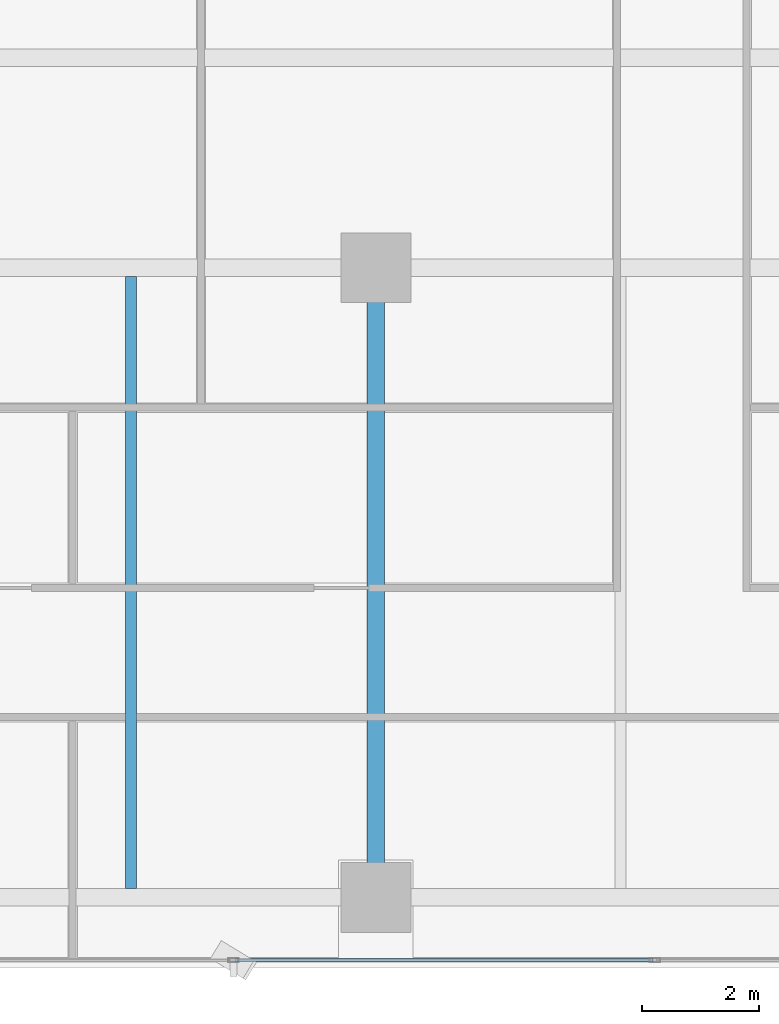
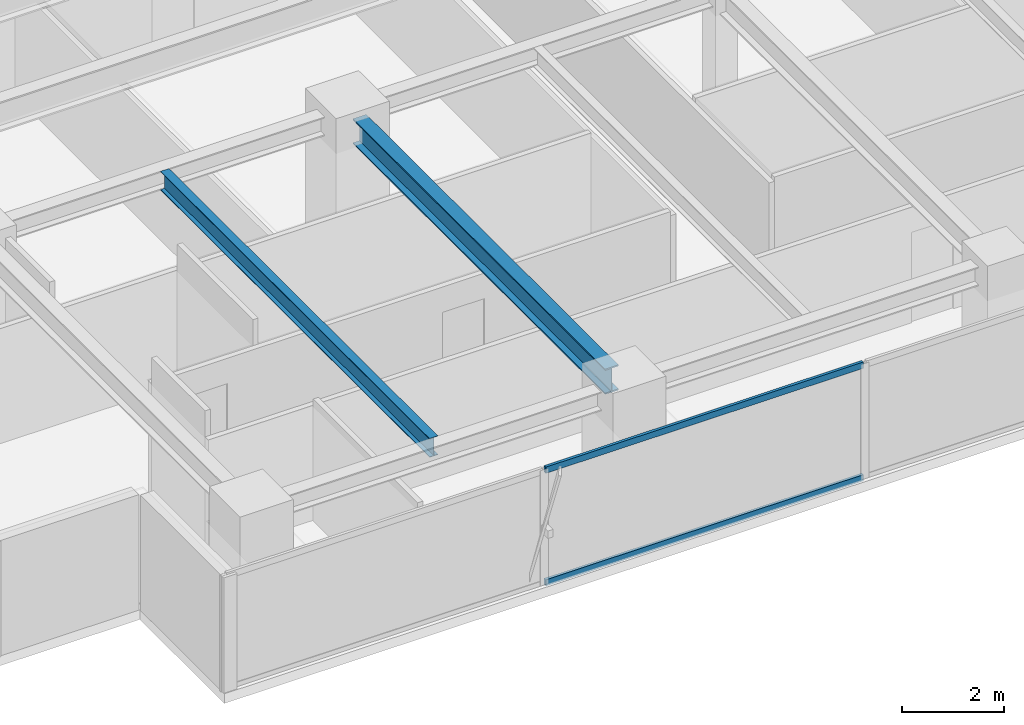
# One storey, part 3 of 22: 2 beams, 2 members, 1 element without a shape of its own.
"""IFC4 building model written with IfcOpenShell, lengths in metres."""

from ifc_helpers import new_model, si_unit, direction, frame, origin, origin_2d, place, context, subcontext, project, spatial, hollow_rectangle, i_section, extrude, source, transform, mapped, material, layer, layer_set, material_profile, profile_set, type_object, element, aggregate, save


model = new_model("IFC4")

# Units and contexts
model_context = context("Model", 3, precision=1e-05, world=origin(), true_north=direction((0.0, 1.0)))
body_context = subcontext(model_context, "Body", "Model", "MODEL_VIEW")
ifc_project = project(units=[si_unit("LENGTHUNIT", "METRE"), si_unit("AREAUNIT", "SQUARE_METRE"), si_unit("VOLUMEUNIT", "CUBIC_METRE"), si_unit("PLANEANGLEUNIT", "RADIAN"), si_unit("MASSUNIT", "GRAM", prefix="KILO")], contexts=[model_context])

# Site, building, storey
site_placement = place(None, origin())
site = spatial("IfcSite", under=ifc_project, at=site_placement, CompositionType="ELEMENT")
building_placement = place(site_placement, origin())
building = spatial("IfcBuilding", under=site, at=building_placement, Name="Sumidabori Civic Tower", CompositionType="ELEMENT")
storey_placement = place(building_placement, frame((0.0, 0.0, 272.0)))
storey = spatial("IfcBuildingStorey", under=building, at=storey_placement, Name="L71", CompositionType="ELEMENT", Elevation=272.0)

# Beams
ifc_material_1 = material(Name="Steel SN490", Category="steel")
ifc_material_profile_1 = material_profile(ifc_material_1, i_section(OverallWidth=0.300048828125, OverallDepth=0.60009765625, WebThickness=0.015380859375, FlangeThickness=0.030029296875, at=origin_2d()), Name="HE 600 B")
ifc_profile_set_1 = profile_set([ifc_material_profile_1], Name="Steel SN490")
beam_type_1 = type_object("IfcBeamType", Name="BM-GIRD-600", PredefinedType="BEAM", material=ifc_profile_set_1)
shared_shape_1 = source(origin(), body_context, "Body", "SweptSolid", [
    extrude(i_section(OverallWidth=0.300048828125, OverallDepth=0.60009765625, WebThickness=0.015380859375, FlangeThickness=0.030029296875, at=origin_2d()), origin(), (0.0, 0.0, 1.0), 9.840087890625),
])
beam_1_placement = place(storey_placement, frame((-8.39990234375, -10.320068359375, 3.070068359375), z_axis=(0.0, 1.0, 0.0), x_axis=(-1.0, 0.0, 0.0)))
element("IfcBeam", 1, at=beam_1_placement, inside=storey, type_object=beam_type_1, Name="Primary Girder L71 GY-12", PredefinedType="BEAM", context=body_context, shape_type="MappedRepresentation", body=[
    mapped(shared_shape_1, transform((0.0, 0.0, 0.0), x_axis=(1.0, 0.0, 0.0), y_axis=(0.0, 1.0, 0.0), z_axis=(0.0, 0.0, 1.0), scale=1.0)),
])
ifc_material_profile_2 = material_profile(ifc_material_1, i_section(OverallWidth=0.18994140625, OverallDepth=0.449951171875, WebThickness=0.009521484375, FlangeThickness=0.0146484375, at=origin_2d()), Name="IPE 450")
ifc_profile_set_2 = profile_set([ifc_material_profile_2], Name="Steel SN490")
beam_type_2 = type_object("IfcBeamType", Name="BM-JST-450", PredefinedType="JOIST", material=ifc_profile_set_2)
shared_shape_2 = source(origin(), body_context, "Body", "SweptSolid", [
    extrude(i_section(OverallWidth=0.18994140625, OverallDepth=0.449951171875, WebThickness=0.009521484375, FlangeThickness=0.0146484375, at=origin_2d()), origin(), (0.0, 0.0, 1.0), 10.5),
])
beam_2_placement = place(storey_placement, frame((-12.60009765625, -10.64990234375, 3.14501953125), z_axis=(0.0, 1.0, 0.0), x_axis=(-1.0, 0.0, 0.0)))
element("IfcBeam", 2, at=beam_2_placement, inside=storey, type_object=beam_type_2, Name="Upper Lens N-S Floor Joist L71 JSTV-24", PredefinedType="JOIST", context=body_context, shape_type="MappedRepresentation", body=[
    mapped(shared_shape_2, transform((0.0, 0.0, 0.0), x_axis=(1.0, 0.0, 0.0), y_axis=(0.0, 1.0, 0.0), z_axis=(0.0, 0.0, 1.0), scale=1.0)),
])

# Curtain wall, members
ifc_material_2 = material(Name="Anodised Bronze Aluminium AW-6063-T6", Category="aluminium")
ifc_layer = layer(ifc_material_2, 0.179931640625, Name="Anodised Bronze Aluminium AW-6063-T6")
ifc_layer_set = layer_set([ifc_layer], Name="Anodised Bronze Aluminium AW-6063-T6")
curtain_wall_type = type_object("IfcCurtainWallType", Name="CW-SYS-6", PredefinedType="NOTDEFINED", material=ifc_layer_set)
curtain_wall_placement = place(storey_placement, origin())
curtain_wall = element("IfcCurtainWall", 3, at=curtain_wall_placement, inside=storey, type_object=curtain_wall_type, Name="Curtain Wall CW:L71:R01", PredefinedType="NOTDEFINED")
ifc_material_profile_3 = material_profile(ifc_material_2, hollow_rectangle(XDim=0.06494140625, YDim=0.14990234375, WallThickness=0.0048828125, at=origin_2d()), Name="ALU TRANSOM 150x65")
ifc_profile_set_3 = profile_set([ifc_material_profile_3], Name="Anodised Bronze Aluminium AW-6063-T6")
member_type = type_object("IfcMemberType", Name="CW-TRN-150", PredefinedType="USERDEFINED", material=ifc_profile_set_3)
shared_shape_3 = source(origin(), body_context, "Body", "SweptSolid", [
    extrude(hollow_rectangle(XDim=0.06494140625, YDim=0.14990234375, WallThickness=0.0048828125, at=origin_2d()), origin(), (0.0, 0.0, 1.0), 7.157958984375),
])
member_1_placement = place(storey_placement, frame((-10.806884765625, -11.8798828125, 0.032470703125), z_axis=(1.0, 0.0, 0.0), x_axis=(0.0, 1.0, 0.0)))
member_1 = element("IfcMember", 4, at=member_1_placement, type_object=member_type, Name="CW-6 transom 2.1", ObjectType="TRANSOM", PredefinedType="USERDEFINED", context=body_context, shape_type="MappedRepresentation", body=[
    mapped(shared_shape_3, transform((0.0, 0.0, 0.0), x_axis=(1.0, 0.0, 0.0), y_axis=(0.0, 1.0, 0.0), z_axis=(0.0, 0.0, 1.0), scale=1.0)),
])
member_2_placement = place(storey_placement, frame((-10.806884765625, -11.8798828125, 2.717529296875), z_axis=(1.0, 0.0, 0.0), x_axis=(0.0, 1.0, 0.0)))
member_2 = element("IfcMember", 5, at=member_2_placement, type_object=member_type, Name="CW-6 transom 2.2", ObjectType="TRANSOM", PredefinedType="USERDEFINED", context=body_context, shape_type="MappedRepresentation", body=[
    mapped(shared_shape_3, transform((0.0, 0.0, 0.0), x_axis=(1.0, 0.0, 0.0), y_axis=(0.0, 1.0, 0.0), z_axis=(0.0, 0.0, 1.0), scale=1.0)),
])
aggregate(curtain_wall, [member_1, member_2])

save(model, "model.ifc")
